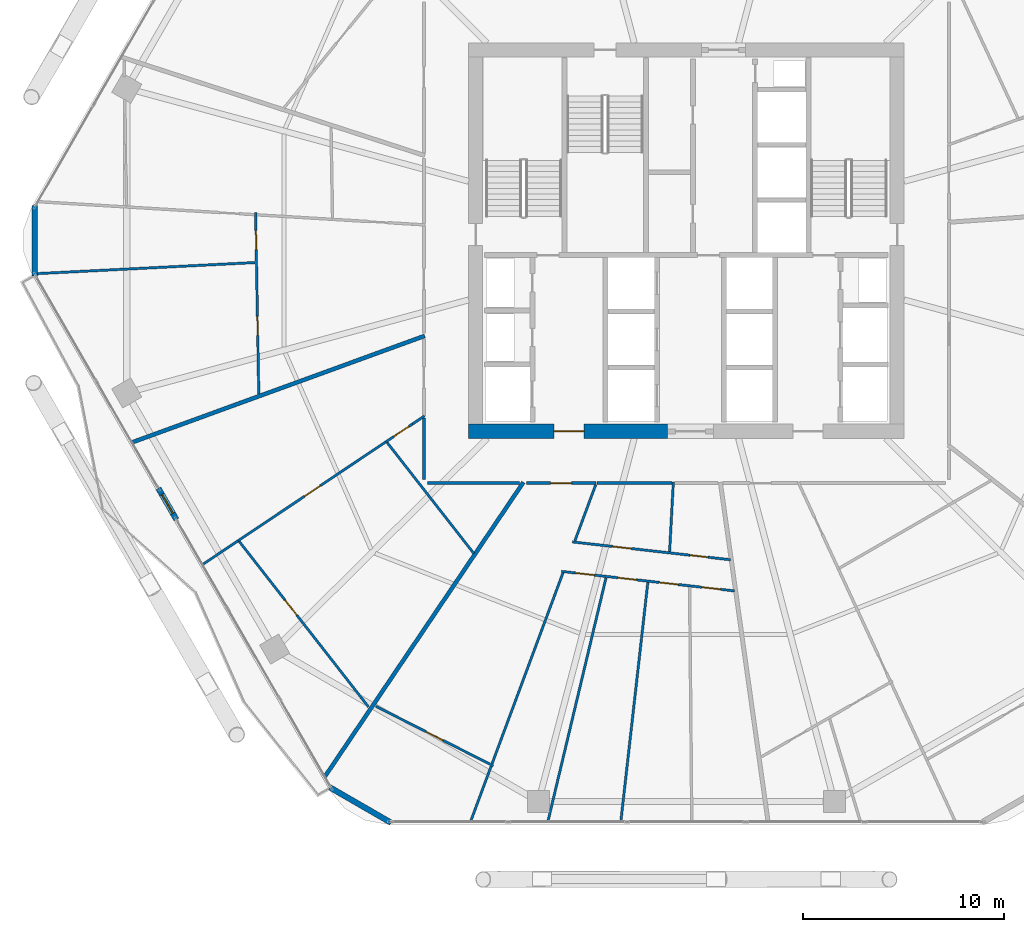
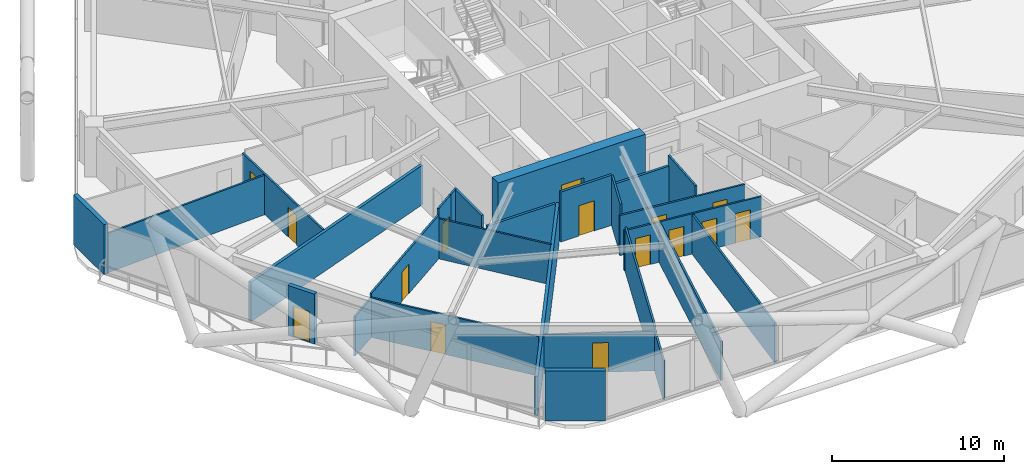
# One storey, part 26 of 34: 27 walls, 15 doors, 15 openings.
"""IFC4 building model written with IfcOpenShell, lengths in metres."""

from ifc_helpers import new_model, si_unit, direction, frame, frame_2d, origin, place, context, subcontext, project, spatial, rectangle, extrude, material, layer, layer_set, type_object, element, fill, save


model = new_model("IFC4")

# Units and contexts
model_context = context("Model", 3, precision=1e-05, world=origin(), true_north=direction((0.0, 1.0)))
body_context = subcontext(model_context, "Body", "Model", "MODEL_VIEW")
ifc_project = project(units=[si_unit("LENGTHUNIT", "METRE"), si_unit("AREAUNIT", "SQUARE_METRE"), si_unit("VOLUMEUNIT", "CUBIC_METRE"), si_unit("PLANEANGLEUNIT", "RADIAN"), si_unit("MASSUNIT", "GRAM", prefix="KILO")], contexts=[model_context])

# Site, building, storey
site_placement = place(None, origin())
site = spatial("IfcSite", under=ifc_project, at=site_placement, CompositionType="ELEMENT")
building_placement = place(site_placement, origin())
building = spatial("IfcBuilding", under=site, at=building_placement, Name="Zuhravey Tower", CompositionType="ELEMENT")
storey_placement = place(building_placement, frame((0.0, 0.0, 100.0)))
storey = spatial("IfcBuildingStorey", under=building, at=storey_placement, Name="L24", CompositionType="ELEMENT", Elevation=100.0)

# Wall, opening, door
ifc_material_1 = material(Name="Concrete C60/75", Category="concrete")
ifc_layer_1 = layer(ifc_material_1, 0.699951171875)
ifc_layer_set_1 = layer_set([ifc_layer_1], Name="Concrete C60/75")
wall_type_1 = type_object("IfcWallType", Name="Core Shear Wall 700", PredefinedType="SHEAR", material=ifc_layer_set_1)
wall_1_placement = place(storey_placement, frame((25.14990234375, 22.5, 0.0), z_axis=(0.0, 0.0, 1.0), x_axis=(1.0, 0.0, 0.0)))
wall_1 = element("IfcWall", 1, at=wall_1_placement, inside=storey, type_object=wall_type_1, Name="L24 South-West Core Shear Wall CW70", PredefinedType="SHEAR", context=body_context, shape_type="SweptSolid", body=[
    extrude(rectangle(XDim=9.900146484375, YDim=0.699951171875, at=frame_2d((4.9501953125, 0.0))), origin(), (0.0, 0.0, 1.0), 3.800048828125),
])
opening_1_placement = place(wall_1_placement, frame((4.25, 0.0, 0.0)))
opening_1 = element("IfcOpeningElement", 2, at=opening_1_placement, cuts=wall_1, Name="Opening FFD1", PredefinedType="OPENING", context=body_context, shape_type="SweptSolid", body=[
    extrude(rectangle(XDim=1.5, YDim=2.14990234375, at=frame_2d((0.75, 1.074951171875))), frame((0.0, 0.362060546875, 0.0), z_axis=(0.0, -1.0, 0.0), x_axis=(1.0, 0.0, 0.0)), (0.0, 0.0, 1.0), 0.723876953125),
])
ifc_material_2 = material(Name="Galvanised fire-rated steel leaf", Category="steel")
door_type_1 = type_object("IfcDoorType", Name="Firefighting Lobby Double Door 1500x2150", OperationType="DOUBLE_DOOR_SINGLE_SWING", PredefinedType="DOOR", material=ifc_material_2)
door_1_placement = place(opening_1_placement, origin())
door_1 = element("IfcDoor", 3, at=door_1_placement, inside=storey, type_object=door_type_1, Name="L24 Firefighting Lobby West Door", OperationType="DOUBLE_DOOR_SINGLE_SWING", OverallHeight=2.14990234375, OverallWidth=1.5, PredefinedType="DOOR", context=body_context, shape_type="SweptSolid", body=[
    extrude(rectangle(XDim=1.5, YDim=2.14990234375, at=frame_2d((0.75, 1.074951171875))), frame((0.0, 0.02490234375, 0.0), z_axis=(0.0, -1.0, 0.0), x_axis=(1.0, 0.0, 0.0)), (0.0, 0.0, 1.0), 0.050048828125),
])
fill(opening_1, door_1)

ifc_material_3 = material(Name="Gypsum fire-rated stud partition")
ifc_layer_2 = layer(ifc_material_3, 0.159912109375)
ifc_layer_set_2 = layer_set([ifc_layer_2], Name="Gypsum fire-rated stud partition")
wall_type_2 = type_object("IfcWallType", Name="Corridor Fire Partition 160", PredefinedType="PARTITIONING", material=ifc_layer_set_2)
wall_2_placement = place(storey_placement, frame((28.0283203125, 19.919921875, 0.0), z_axis=(0.0, 0.0, 1.0), x_axis=(1.0, 0.0, 0.0)))
wall_2 = element("IfcWall", 4, at=wall_2_placement, inside=storey, type_object=wall_type_2, Name="L24 IW16 Partition 054", PredefinedType="PARTITIONING", context=body_context, shape_type="SweptSolid", body=[
    extrude(rectangle(XDim=3.462646484375, YDim=0.159912109375, at=frame_2d((1.7314453125, 0.0))), origin(), (0.0, 0.0, 1.0), 3.550048828125),
])
opening_2_placement = place(wall_2_placement, frame((1.206298828125, 0.0, 0.0)))
opening_2 = element("IfcOpeningElement", 5, at=opening_2_placement, cuts=wall_2, Name="Opening APD1", PredefinedType="OPENING", context=body_context, shape_type="SweptSolid", body=[
    extrude(rectangle(XDim=1.050048828125, YDim=2.14990234375, at=frame_2d((0.52490234375, 1.074951171875))), frame((0.0, 0.092041015625, 0.0), z_axis=(0.0, -1.0, 0.0), x_axis=(1.0, 0.0, 0.0)), (0.0, 0.0, 1.0), 0.183837890625),
])
ifc_material_4 = material(Name="Solid-core oak fire-rated leaf")
door_type_2 = type_object("IfcDoorType", Name="Apartment Entrance Fire Door 1050x2150", OperationType="NOTDEFINED", PredefinedType="DOOR", material=ifc_material_4)
door_2_placement = place(opening_2_placement, frame((1.050048828125, 0.0, 0.0), z_axis=(0.0, 0.0, 1.0), x_axis=(-1.0, 0.0, 0.0)))
door_2 = element("IfcDoor", 6, at=door_2_placement, inside=storey, type_object=door_type_2, Name="L24 Door 054.1", OperationType="SINGLE_SWING_RIGHT", OverallHeight=2.14990234375, OverallWidth=1.050048828125, PredefinedType="DOOR", context=body_context, shape_type="SweptSolid", body=[
    extrude(rectangle(XDim=1.050048828125, YDim=2.14990234375, at=frame_2d((0.52490234375, 1.074951171875))), frame((0.0, 0.02490234375, 0.0), z_axis=(0.0, -1.0, 0.0), x_axis=(1.0, 0.0, 0.0)), (0.0, 0.0, 1.0), 0.050048828125),
])
fill(opening_2, door_2)

# Walls
wall_3_placement = place(storey_placement, frame((23.10009765625, 19.919921875, 0.0), z_axis=(0.0, 0.0, 1.0), x_axis=(1.0, 0.0, 0.0)))
element("IfcWall", 7, at=wall_3_placement, inside=storey, type_object=wall_type_2, Name="L24 IW16 Partition 127", PredefinedType="PARTITIONING", context=body_context, shape_type="SweptSolid", body=[
    extrude(rectangle(XDim=4.5732421875, YDim=0.159912109375, at=frame_2d((2.28662109375, 0.0))), origin(), (0.0, 0.0, 1.0), 2.85009765625),
])
wall_4_placement = place(storey_placement, frame((22.919921875, 23.161865234375, 0.0), z_axis=(0.0, 0.0, 1.0), x_axis=(0.0, -1.0, 0.0)))
element("IfcWall", 8, at=wall_4_placement, inside=storey, type_object=wall_type_2, Name="L24 IW16 Partition 128", PredefinedType="PARTITIONING", context=body_context, shape_type="SweptSolid", body=[
    extrude(rectangle(XDim=3.061767578125, YDim=0.159912109375, at=frame_2d((1.53076171875, 0.0))), origin(), (0.0, 0.0, 1.0), 3.550048828125),
])
wall_5_placement = place(storey_placement, frame((31.53369140625, 19.919921875, 0.0), z_axis=(0.0, 0.0, 1.0), x_axis=(1.0, 0.0, 0.0)))
element("IfcWall", 9, at=wall_5_placement, inside=storey, type_object=wall_type_2, Name="L24 IW16 Partition 129", PredefinedType="PARTITIONING", context=body_context, shape_type="SweptSolid", body=[
    extrude(rectangle(XDim=3.7451171875, YDim=0.159912109375, at=frame_2d((1.87255859375, 0.0))), origin(), (0.0, 0.0, 1.0), 2.85009765625),
])
ifc_material_5 = material(Name="Precast concrete C40/50", Category="concrete")
ifc_layer_3 = layer(ifc_material_5, 0.280029296875)
ifc_layer_set_3 = layer_set([ifc_layer_3], Name="Precast concrete C40/50")
wall_type_3 = type_object("IfcWallType", Name="Crown Architectural Wall 280", PredefinedType="SOLIDWALL", material=ifc_layer_set_3)
wall_6_placement = place(storey_placement, frame((21.28271484375, 2.993896484375, 0.0), z_axis=(0.0, 0.0, 1.0), x_axis=(-0.866007452331, 0.500031091541, 0.0)))
element("IfcWall", 10, at=wall_6_placement, inside=storey, type_object=wall_type_3, Name="L24 Rounded Corner Closure Wall EW28-04", PredefinedType="SOLIDWALL", context=body_context, shape_type="SweptSolid", body=[
    extrude(rectangle(XDim=3.514892578125, YDim=0.280029296875, at=frame_2d((1.75732421875, 0.0))), origin(), (0.0, 0.0, 1.0), 3.550048828125),
])

# Wall, opening, door
wall_7_placement = place(storey_placement, frame((10.583984375, 18.104736328125, 0.0), z_axis=(0.0, 0.0, 1.0), x_axis=(-0.49993893605, 0.866060656202, 0.0)))
wall_7 = element("IfcWall", 11, at=wall_7_placement, inside=storey, type_object=wall_type_3, Name="L24 Face 4 Facade Pier EW28-1", PredefinedType="SOLIDWALL", context=body_context, shape_type="SweptSolid", body=[
    extrude(rectangle(XDim=1.789794921875, YDim=0.280029296875, at=frame_2d((0.89501953125, 0.0))), origin(), (0.0, 0.0, 1.0), 3.550048828125),
])
opening_3_placement = place(wall_7_placement, frame((0.344970703125, 0.0, 0.0)))
opening_3 = element("IfcOpeningElement", 12, at=opening_3_placement, cuts=wall_7, Name="Opening BLD1", PredefinedType="OPENING", context=body_context, shape_type="SweptSolid", body=[
    extrude(rectangle(XDim=1.10009765625, YDim=2.199951171875, at=frame_2d((0.550048828125, 1.10009765625))), frame((0.0, 0.152099609375, 0.0), z_axis=(0.0, -1.0, 0.0), x_axis=(1.0, 0.0, 0.0)), (0.0, 0.0, 1.0), 0.303955078125),
])
ifc_material_6 = material(Name="Thermally broken aluminium and low-E glass", Category="aluminium")
door_type_3 = type_object("IfcDoorType", Name="Balcony & Sky-Tray Glazed Door 1100x2200", OperationType="NOTDEFINED", PredefinedType="DOOR", material=ifc_material_6)
door_3_placement = place(opening_3_placement, frame((1.10009765625, 0.0, 0.0), z_axis=(0.0, 0.0, 1.0), x_axis=(-1.0, 0.0, 0.0)))
door_3 = element("IfcDoor", 13, at=door_3_placement, inside=storey, type_object=door_type_3, Name="L24 Face 4 Wave Balcony Door", OperationType="SINGLE_SWING_LEFT", OverallHeight=2.199951171875, OverallWidth=1.10009765625, PredefinedType="DOOR", context=body_context, shape_type="SweptSolid", body=[
    extrude(rectangle(XDim=1.10009765625, YDim=2.199951171875, at=frame_2d((0.550048828125, 1.10009765625))), frame((0.0, 0.02490234375, 0.0), z_axis=(0.0, -1.0, 0.0), x_axis=(1.0, 0.0, 0.0)), (0.0, 0.0, 1.0), 0.050048828125),
])
fill(opening_3, door_3)

# Walls
wall_8_placement = place(storey_placement, frame((3.521484375, 30.242431640625, 0.0), z_axis=(0.0, 0.0, 1.0), x_axis=(0.0, 1.0, 0.0)))
element("IfcWall", 14, at=wall_8_placement, inside=storey, type_object=wall_type_3, Name="L24 Rounded Corner Closure Wall EW28-06", PredefinedType="SOLIDWALL", context=body_context, shape_type="SweptSolid", body=[
    extrude(rectangle(XDim=3.51513671875, YDim=0.280029296875, at=frame_2d((1.757568359375, 0.0))), origin(), (0.0, 0.0, 1.0), 3.550048828125),
])
ifc_material_7 = material(Name="Gypsum double-stud party assembly")
ifc_layer_4 = layer(ifc_material_7, 0.199951171875)
ifc_layer_set_4 = layer_set([ifc_layer_4], Name="Gypsum double-stud party assembly")
wall_type_4 = type_object("IfcWallType", Name="Inter-Tenancy Party Wall 200", PredefinedType="PARTITIONING", material=ifc_layer_set_4)
wall_9_placement = place(storey_placement, frame((22.9599609375, 27.25390625, 0.0), z_axis=(0.0, 0.0, 1.0), x_axis=(-0.939691473543, -0.342023295333, 0.0)))
element("IfcWall", 15, at=wall_9_placement, inside=storey, type_object=wall_type_4, Name="L24 IW20 Partition 100", PredefinedType="PARTITIONING", context=body_context, shape_type="SweptSolid", body=[
    extrude(rectangle(XDim=15.5283203125, YDim=0.199951171875, at=frame_2d((7.76416015625, 0.0))), origin(), (0.0, 0.0, 1.0), 2.800048828125),
])
wall_10_placement = place(storey_placement, frame((27.87890625, 19.9599609375, 0.0), z_axis=(0.0, 0.0, 1.0), x_axis=(-0.559197020648, -0.829034795469, 0.0)))
element("IfcWall", 16, at=wall_10_placement, inside=storey, type_object=wall_type_4, Name="L24 IW20 Partition 104", PredefinedType="PARTITIONING", context=body_context, shape_type="SweptSolid", body=[
    extrude(rectangle(XDim=17.6962890625, YDim=0.199951171875, at=frame_2d((8.84814453125, 0.0))), origin(), (0.0, 0.0, 1.0), 2.800048828125),
])

# Wall, openings, doors
ifc_material_8 = material(Name="Gypsum metal-stud partition")
ifc_layer_5 = layer(ifc_material_8, 0.1201171875)
ifc_layer_set_5 = layer_set([ifc_layer_5], Name="Gypsum metal-stud partition")
wall_type_5 = type_object("IfcWallType", Name="Unit Internal Partition 120", PredefinedType="PARTITIONING", material=ifc_layer_set_5)
wall_11_placement = place(storey_placement, frame((14.533203125, 33.390625, 0.0), z_axis=(0.0, 0.0, 1.0), x_axis=(0.017438423518, -0.999847939131, 0.0)))
wall_11 = element("IfcWall", 17, at=wall_11_placement, inside=storey, type_object=wall_type_5, Name="L24 IW12 Partition 041", PredefinedType="PARTITIONING", context=body_context, shape_type="SweptSolid", body=[
    extrude(rectangle(XDim=9.044189453125, YDim=0.1201171875, at=frame_2d((4.52197265625, 0.0))), origin(), (0.0, 0.0, 1.0), 2.85009765625),
])
opening_4_placement = place(wall_11_placement, frame((0.885009765625, 0.0, 0.0)))
opening_4 = element("IfcOpeningElement", 18, at=opening_4_placement, cuts=wall_11, Name="Opening IND1", PredefinedType="OPENING", context=body_context, shape_type="SweptSolid", body=[
    extrude(rectangle(XDim=0.949951171875, YDim=2.10009765625, at=frame_2d((0.47509765625, 1.050048828125))), frame((0.0, 0.072021484375, 0.0), z_axis=(0.0, -1.0, 0.0), x_axis=(1.0, 0.0, 0.0)), (0.0, 0.0, 1.0), 0.14404296875),
])
opening_5_placement = place(wall_11_placement, frame((5.167236328125, 0.0, 0.0)))
opening_5 = element("IfcOpeningElement", 19, at=opening_5_placement, cuts=wall_11, Name="Opening IND1", PredefinedType="OPENING", context=body_context, shape_type="SweptSolid", body=[
    extrude(rectangle(XDim=0.949951171875, YDim=2.10009765625, at=frame_2d((0.47509765625, 1.050048828125))), frame((0.0, 0.072021484375, 0.0), z_axis=(0.0, -1.0, 0.0), x_axis=(1.0, 0.0, 0.0)), (0.0, 0.0, 1.0), 0.14404296875),
])
ifc_material_9 = material(Name="Painted engineered timber leaf", Category="wood")
door_type_4 = type_object("IfcDoorType", Name="Internal Room & Bedroom Door 950x2100", OperationType="NOTDEFINED", PredefinedType="DOOR", material=ifc_material_9)
door_4_placement = place(opening_4_placement, frame((0.949951171875, 0.0, 0.0), z_axis=(0.0, 0.0, 1.0), x_axis=(-1.0, 0.0, 0.0)))
door_4 = element("IfcDoor", 20, at=door_4_placement, inside=storey, type_object=door_type_4, Name="Apartment L24-05 Family Study Door", OperationType="SINGLE_SWING_LEFT", OverallHeight=2.10009765625, OverallWidth=0.949951171875, PredefinedType="DOOR", context=body_context, shape_type="SweptSolid", body=[
    extrude(rectangle(XDim=0.949951171875, YDim=2.10009765625, at=frame_2d((0.47509765625, 1.050048828125))), frame((0.0, 0.02490234375, 0.0), z_axis=(0.0, -1.0, 0.0), x_axis=(1.0, 0.0, 0.0)), (0.0, 0.0, 1.0), 0.050048828125),
])
fill(opening_4, door_4)
door_5_placement = place(opening_5_placement, frame((0.949951171875, 0.0, 0.0), z_axis=(0.0, 0.0, 1.0), x_axis=(-1.0, 0.0, 0.0)))
door_5 = element("IfcDoor", 21, at=door_5_placement, inside=storey, type_object=door_type_4, Name="Apartment L24-05 Dining Room Door", OperationType="SINGLE_SWING_RIGHT", OverallHeight=2.10009765625, OverallWidth=0.949951171875, PredefinedType="DOOR", context=body_context, shape_type="SweptSolid", body=[
    extrude(rectangle(XDim=0.949951171875, YDim=2.10009765625, at=frame_2d((0.47509765625, 1.050048828125))), frame((0.0, 0.02490234375, 0.0), z_axis=(0.0, -1.0, 0.0), x_axis=(1.0, 0.0, 0.0)), (0.0, 0.0, 1.0), 0.050048828125),
])
fill(opening_5, door_5)

# Wall, opening, door
wall_12_placement = place(storey_placement, frame((22.35009765625, 22.862060546875, 0.0), z_axis=(0.0, 0.0, 1.0), x_axis=(-0.831058391016, -0.556185176647, 0.0)))
wall_12 = element("IfcWall", 22, at=wall_12_placement, inside=storey, type_object=wall_type_5, Name="L24 IW12 Partition 047", PredefinedType="PARTITIONING", context=body_context, shape_type="SweptSolid", body=[
    extrude(rectangle(XDim=1.592529296875, YDim=0.1201171875, at=frame_2d((0.79638671875, 0.0))), origin(), (0.0, 0.0, 1.0), 3.550048828125),
])
opening_6_placement = place(wall_12_placement, frame((0.218994140625, 0.0, 0.0)))
opening_6 = element("IfcOpeningElement", 23, at=opening_6_placement, cuts=wall_12, Name="Opening WCD1", PredefinedType="OPENING", context=body_context, shape_type="SweptSolid", body=[
    extrude(rectangle(XDim=0.89990234375, YDim=2.10009765625, at=frame_2d((0.449951171875, 1.050048828125))), frame((0.0, 0.072021484375, 0.0), z_axis=(0.0, -1.0, 0.0), x_axis=(1.0, 0.0, 0.0)), (0.0, 0.0, 1.0), 0.14404296875),
])
ifc_material_10 = material(Name="Moisture-resistant timber leaf", Category="wood")
door_type_5 = type_object("IfcDoorType", Name="Bathroom & WC Internal Door 900x2100", OperationType="NOTDEFINED", PredefinedType="DOOR", material=ifc_material_10)
door_6_placement = place(opening_6_placement, origin())
door_6 = element("IfcDoor", 24, at=door_6_placement, inside=storey, type_object=door_type_5, Name="Apartment L24-06 Bathroom Door", OperationType="SINGLE_SWING_LEFT", OverallHeight=2.10009765625, OverallWidth=0.89990234375, PredefinedType="DOOR", context=body_context, shape_type="SweptSolid", body=[
    extrude(rectangle(XDim=0.89990234375, YDim=2.10009765625, at=frame_2d((0.449951171875, 1.050048828125))), frame((0.0, 0.02490234375, 0.0), z_axis=(0.0, -1.0, 0.0), x_axis=(1.0, 0.0, 0.0)), (0.0, 0.0, 1.0), 0.050048828125),
])
fill(opening_6, door_6)

wall_13_placement = place(storey_placement, frame((21.026611328125, 21.976318359375, 0.0), z_axis=(0.0, 0.0, 1.0), x_axis=(-0.830972753707, -0.556313115607, 0.0)))
wall_13 = element("IfcWall", 25, at=wall_13_placement, inside=storey, type_object=wall_type_5, Name="L24 IW12 Partition 048", PredefinedType="PARTITIONING", context=body_context, shape_type="SweptSolid", body=[
    extrude(rectangle(XDim=8.86669921875, YDim=0.1201171875, at=frame_2d((4.433349609375, 0.0))), origin(), (0.0, 0.0, 1.0), 3.10009765625),
])
opening_7_placement = place(wall_13_placement, frame((3.93310546875, 0.0, 0.0)))
opening_7 = element("IfcOpeningElement", 26, at=opening_7_placement, cuts=wall_13, Name="Opening IND1", PredefinedType="OPENING", context=body_context, shape_type="SweptSolid", body=[
    extrude(rectangle(XDim=0.949951171875, YDim=2.10009765625, at=frame_2d((0.47509765625, 1.050048828125))), frame((0.0, 0.072021484375, 0.0), z_axis=(0.0, -1.0, 0.0), x_axis=(1.0, 0.0, 0.0)), (0.0, 0.0, 1.0), 0.14404296875),
])
door_7_placement = place(opening_7_placement, origin())
door_7 = element("IfcDoor", 27, at=door_7_placement, inside=storey, type_object=door_type_4, Name="Apartment L24-06 Home Office Door", OperationType="SINGLE_SWING_RIGHT", OverallHeight=2.10009765625, OverallWidth=0.949951171875, PredefinedType="DOOR", context=body_context, shape_type="SweptSolid", body=[
    extrude(rectangle(XDim=0.949951171875, YDim=2.10009765625, at=frame_2d((0.47509765625, 1.050048828125))), frame((0.0, 0.02490234375, 0.0), z_axis=(0.0, -1.0, 0.0), x_axis=(1.0, 0.0, 0.0)), (0.0, 0.0, 1.0), 0.050048828125),
])
fill(opening_7, door_7)

wall_14_placement = place(storey_placement, frame((13.7216796875, 17.00390625, 0.0), z_axis=(0.0, 0.0, 1.0), x_axis=(0.615661723456, -0.788010559746, 0.0)))
wall_14 = element("IfcWall", 28, at=wall_14_placement, inside=storey, type_object=wall_type_5, Name="L24 IW12 Partition 049", PredefinedType="PARTITIONING", context=body_context, shape_type="SweptSolid", body=[
    extrude(rectangle(XDim=10.449951171875, YDim=0.1201171875, at=frame_2d((5.22509765625, 0.0))), origin(), (0.0, 0.0, 1.0), 2.800048828125),
])
opening_8_placement = place(wall_14_placement, frame((3.69482421875, 0.0, 0.0)))
opening_8 = element("IfcOpeningElement", 29, at=opening_8_placement, cuts=wall_14, Name="Opening IND1", PredefinedType="OPENING", context=body_context, shape_type="SweptSolid", body=[
    extrude(rectangle(XDim=0.949951171875, YDim=2.10009765625, at=frame_2d((0.47509765625, 1.050048828125))), frame((0.0, 0.072021484375, 0.0), z_axis=(0.0, -1.0, 0.0), x_axis=(1.0, 0.0, 0.0)), (0.0, 0.0, 1.0), 0.14404296875),
])
door_8_placement = place(opening_8_placement, frame((0.949951171875, 0.0, 0.0), z_axis=(0.0, 0.0, 1.0), x_axis=(-1.0, 0.0, 0.0)))
door_8 = element("IfcDoor", 30, at=door_8_placement, inside=storey, type_object=door_type_4, Name="Apartment L24-06 Bedroom 1 Door", OperationType="SINGLE_SWING_LEFT", OverallHeight=2.10009765625, OverallWidth=0.949951171875, PredefinedType="DOOR", context=body_context, shape_type="SweptSolid", body=[
    extrude(rectangle(XDim=0.949951171875, YDim=2.10009765625, at=frame_2d((0.47509765625, 1.050048828125))), frame((0.0, 0.02490234375, 0.0), z_axis=(0.0, -1.0, 0.0), x_axis=(1.0, 0.0, 0.0)), (0.0, 0.0, 1.0), 0.050048828125),
])
fill(opening_8, door_8)

wall_15_placement = place(storey_placement, frame((20.524169921875, 8.799560546875, 0.0), z_axis=(0.0, 0.0, 1.0), x_axis=(0.891487645156, -0.453045007185, 0.0)))
wall_15 = element("IfcWall", 31, at=wall_15_placement, inside=storey, type_object=wall_type_5, Name="L24 IW12 Partition 051", PredefinedType="PARTITIONING", context=body_context, shape_type="SweptSolid", body=[
    extrude(rectangle(XDim=6.570556640625, YDim=0.1201171875, at=frame_2d((3.28515625, 0.0))), origin(), (0.0, 0.0, 1.0), 2.800048828125),
])
opening_9_placement = place(wall_15_placement, frame((2.810302734375, 0.0, 0.0)))
opening_9 = element("IfcOpeningElement", 32, at=opening_9_placement, cuts=wall_15, Name="Opening IND1", PredefinedType="OPENING", context=body_context, shape_type="SweptSolid", body=[
    extrude(rectangle(XDim=0.949951171875, YDim=2.10009765625, at=frame_2d((0.47509765625, 1.050048828125))), frame((0.0, 0.072021484375, 0.0), z_axis=(0.0, -1.0, 0.0), x_axis=(1.0, 0.0, 0.0)), (0.0, 0.0, 1.0), 0.14404296875),
])
door_9_placement = place(opening_9_placement, frame((0.949951171875, 0.0, 0.0), z_axis=(0.0, 0.0, 1.0), x_axis=(-1.0, 0.0, 0.0)))
door_9 = element("IfcDoor", 33, at=door_9_placement, inside=storey, type_object=door_type_4, Name="Apartment L24-07 Family Study Door", OperationType="SINGLE_SWING_LEFT", OverallHeight=2.10009765625, OverallWidth=0.949951171875, PredefinedType="DOOR", context=body_context, shape_type="SweptSolid", body=[
    extrude(rectangle(XDim=0.949951171875, YDim=2.10009765625, at=frame_2d((0.47509765625, 1.050048828125))), frame((0.0, 0.02490234375, 0.0), z_axis=(0.0, -1.0, 0.0), x_axis=(1.0, 0.0, 0.0)), (0.0, 0.0, 1.0), 0.050048828125),
])
fill(opening_9, door_9)

# Wall, openings, doors
wall_16_placement = place(storey_placement, frame((30.31591796875, 16.987060546875, 0.0), z_axis=(0.0, 0.0, 1.0), x_axis=(0.993688053022, -0.112178666785, 0.0)))
wall_16 = element("IfcWall", 34, at=wall_16_placement, inside=storey, type_object=wall_type_5, Name="L24 IW12 Partition 052", PredefinedType="PARTITIONING", context=body_context, shape_type="SweptSolid", body=[
    extrude(rectangle(XDim=7.928466796875, YDim=0.1201171875, at=frame_2d((3.96435546875, 0.0))), origin(), (0.0, 0.0, 1.0), 2.85009765625),
])
opening_10_placement = place(wall_16_placement, frame((2.01318359375, 0.0, 0.0)))
opening_10 = element("IfcOpeningElement", 35, at=opening_10_placement, cuts=wall_16, Name="Opening IND1", PredefinedType="OPENING", context=body_context, shape_type="SweptSolid", body=[
    extrude(rectangle(XDim=0.949951171875, YDim=2.10009765625, at=frame_2d((0.47509765625, 1.050048828125))), frame((0.0, 0.072021484375, 0.0), z_axis=(0.0, -1.0, 0.0), x_axis=(1.0, 0.0, 0.0)), (0.0, 0.0, 1.0), 0.14404296875),
])
opening_11_placement = place(wall_16_placement, frame((5.8994140625, 0.0, 0.0)))
opening_11 = element("IfcOpeningElement", 36, at=opening_11_placement, cuts=wall_16, Name="Opening WCD1", PredefinedType="OPENING", context=body_context, shape_type="SweptSolid", body=[
    extrude(rectangle(XDim=0.89990234375, YDim=2.10009765625, at=frame_2d((0.449951171875, 1.050048828125))), frame((0.0, 0.072021484375, 0.0), z_axis=(0.0, -1.0, 0.0), x_axis=(1.0, 0.0, 0.0)), (0.0, 0.0, 1.0), 0.14404296875),
])
door_10_placement = place(opening_11_placement, origin())
door_10 = element("IfcDoor", 37, at=door_10_placement, inside=storey, type_object=door_type_5, Name="Apartment L24-07 Bathroom Door", OperationType="SINGLE_SWING_LEFT", OverallHeight=2.10009765625, OverallWidth=0.89990234375, PredefinedType="DOOR", context=body_context, shape_type="SweptSolid", body=[
    extrude(rectangle(XDim=0.89990234375, YDim=2.10009765625, at=frame_2d((0.449951171875, 1.050048828125))), frame((0.0, 0.02490234375, 0.0), z_axis=(0.0, -1.0, 0.0), x_axis=(1.0, 0.0, 0.0)), (0.0, 0.0, 1.0), 0.050048828125),
])
fill(opening_11, door_10)
door_11_placement = place(opening_10_placement, origin())
door_11 = element("IfcDoor", 38, at=door_11_placement, inside=storey, type_object=door_type_4, Name="Apartment L24-07 Kitchen Door", OperationType="SINGLE_SWING_RIGHT", OverallHeight=2.10009765625, OverallWidth=0.949951171875, PredefinedType="DOOR", context=body_context, shape_type="SweptSolid", body=[
    extrude(rectangle(XDim=0.949951171875, YDim=2.10009765625, at=frame_2d((0.47509765625, 1.050048828125))), frame((0.0, 0.02490234375, 0.0), z_axis=(0.0, -1.0, 0.0), x_axis=(1.0, 0.0, 0.0)), (0.0, 0.0, 1.0), 0.050048828125),
])
fill(opening_10, door_11)

wall_17_placement = place(storey_placement, frame((29.7705078125, 15.518798828125, 0.0), z_axis=(0.0, 0.0, 1.0), x_axis=(0.993690565923, -0.112156405055, 0.0)))
wall_17 = element("IfcWall", 39, at=wall_17_placement, inside=storey, type_object=wall_type_5, Name="L24 IW12 Partition 053", PredefinedType="PARTITIONING", context=body_context, shape_type="SweptSolid", body=[
    extrude(rectangle(XDim=8.68310546875, YDim=0.1201171875, at=frame_2d((4.341552734375, 0.0))), origin(), (0.0, 0.0, 1.0), 2.85009765625),
])
opening_12_placement = place(wall_17_placement, frame((0.701904296875, 0.0, 0.0)))
opening_12 = element("IfcOpeningElement", 40, at=opening_12_placement, cuts=wall_17, Name="Opening IND1", PredefinedType="OPENING", context=body_context, shape_type="SweptSolid", body=[
    extrude(rectangle(XDim=0.949951171875, YDim=2.10009765625, at=frame_2d((0.47509765625, 1.050048828125))), frame((0.0, 0.072021484375, 0.0), z_axis=(0.0, -1.0, 0.0), x_axis=(1.0, 0.0, 0.0)), (0.0, 0.0, 1.0), 0.14404296875),
])
opening_13_placement = place(wall_17_placement, frame((2.822509765625, 0.0, 0.0)))
opening_13 = element("IfcOpeningElement", 41, at=opening_13_placement, cuts=wall_17, Name="Opening IND1", PredefinedType="OPENING", context=body_context, shape_type="SweptSolid", body=[
    extrude(rectangle(XDim=0.949951171875, YDim=2.10009765625, at=frame_2d((0.47509765625, 1.050048828125))), frame((0.0, 0.072021484375, 0.0), z_axis=(0.0, -1.0, 0.0), x_axis=(1.0, 0.0, 0.0)), (0.0, 0.0, 1.0), 0.14404296875),
])
opening_14_placement = place(wall_17_placement, frame((4.91064453125, 0.0, 0.0)))
opening_14 = element("IfcOpeningElement", 42, at=opening_14_placement, cuts=wall_17, Name="Opening IND1", PredefinedType="OPENING", context=body_context, shape_type="SweptSolid", body=[
    extrude(rectangle(XDim=0.949951171875, YDim=2.10009765625, at=frame_2d((0.47509765625, 1.050048828125))), frame((0.0, 0.072021484375, 0.0), z_axis=(0.0, -1.0, 0.0), x_axis=(1.0, 0.0, 0.0)), (0.0, 0.0, 1.0), 0.14404296875),
])
opening_15_placement = place(wall_17_placement, frame((7.031005859375, 0.0, 0.0)))
opening_15 = element("IfcOpeningElement", 43, at=opening_15_placement, cuts=wall_17, Name="Opening IND1", PredefinedType="OPENING", context=body_context, shape_type="SweptSolid", body=[
    extrude(rectangle(XDim=0.949951171875, YDim=2.10009765625, at=frame_2d((0.47509765625, 1.050048828125))), frame((0.0, 0.072021484375, 0.0), z_axis=(0.0, -1.0, 0.0), x_axis=(1.0, 0.0, 0.0)), (0.0, 0.0, 1.0), 0.14404296875),
])
door_12_placement = place(opening_12_placement, frame((0.949951171875, 0.0, 0.0), z_axis=(0.0, 0.0, 1.0), x_axis=(-1.0, 0.0, 0.0)))
door_12 = element("IfcDoor", 44, at=door_12_placement, inside=storey, type_object=door_type_4, Name="Apartment L24-07 Bedroom 1 Door", OperationType="SINGLE_SWING_RIGHT", OverallHeight=2.10009765625, OverallWidth=0.949951171875, PredefinedType="DOOR", context=body_context, shape_type="SweptSolid", body=[
    extrude(rectangle(XDim=0.949951171875, YDim=2.10009765625, at=frame_2d((0.47509765625, 1.050048828125))), frame((0.0, 0.02490234375, 0.0), z_axis=(0.0, -1.0, 0.0), x_axis=(1.0, 0.0, 0.0)), (0.0, 0.0, 1.0), 0.050048828125),
])
fill(opening_12, door_12)
door_13_placement = place(opening_13_placement, frame((0.949951171875, 0.0, 0.0), z_axis=(0.0, 0.0, 1.0), x_axis=(-1.0, 0.0, 0.0)))
door_13 = element("IfcDoor", 45, at=door_13_placement, inside=storey, type_object=door_type_4, Name="Apartment L24-07 Bedroom 2 Door", OperationType="SINGLE_SWING_LEFT", OverallHeight=2.10009765625, OverallWidth=0.949951171875, PredefinedType="DOOR", context=body_context, shape_type="SweptSolid", body=[
    extrude(rectangle(XDim=0.949951171875, YDim=2.10009765625, at=frame_2d((0.47509765625, 1.050048828125))), frame((0.0, 0.02490234375, 0.0), z_axis=(0.0, -1.0, 0.0), x_axis=(1.0, 0.0, 0.0)), (0.0, 0.0, 1.0), 0.050048828125),
])
fill(opening_13, door_13)
door_14_placement = place(opening_14_placement, frame((0.949951171875, 0.0, 0.0), z_axis=(0.0, 0.0, 1.0), x_axis=(-1.0, 0.0, 0.0)))
door_14 = element("IfcDoor", 46, at=door_14_placement, inside=storey, type_object=door_type_4, Name="Apartment L24-07 Bedroom 3 Door", OperationType="SINGLE_SWING_RIGHT", OverallHeight=2.10009765625, OverallWidth=0.949951171875, PredefinedType="DOOR", context=body_context, shape_type="SweptSolid", body=[
    extrude(rectangle(XDim=0.949951171875, YDim=2.10009765625, at=frame_2d((0.47509765625, 1.050048828125))), frame((0.0, 0.02490234375, 0.0), z_axis=(0.0, -1.0, 0.0), x_axis=(1.0, 0.0, 0.0)), (0.0, 0.0, 1.0), 0.050048828125),
])
fill(opening_14, door_14)
door_15_placement = place(opening_15_placement, frame((0.949951171875, 0.0, 0.0), z_axis=(0.0, 0.0, 1.0), x_axis=(-1.0, 0.0, 0.0)))
door_15 = element("IfcDoor", 47, at=door_15_placement, inside=storey, type_object=door_type_4, Name="Apartment L24-07 Bedroom 4 Door", OperationType="SINGLE_SWING_LEFT", OverallHeight=2.10009765625, OverallWidth=0.949951171875, PredefinedType="DOOR", context=body_context, shape_type="SweptSolid", body=[
    extrude(rectangle(XDim=0.949951171875, YDim=2.10009765625, at=frame_2d((0.47509765625, 1.050048828125))), frame((0.0, 0.02490234375, 0.0), z_axis=(0.0, -1.0, 0.0), x_axis=(1.0, 0.0, 0.0)), (0.0, 0.0, 1.0), 0.050048828125),
])
fill(opening_15, door_15)

# Walls
wall_18_placement = place(storey_placement, frame((14.508544921875, 30.907470703125, 0.0), z_axis=(0.0, 0.0, 1.0), x_axis=(-0.998710415544, -0.05076914303, 0.0)))
element("IfcWall", 48, at=wall_18_placement, inside=storey, type_object=wall_type_5, Name="L24 IW12 Partition 095", PredefinedType="PARTITIONING", context=body_context, shape_type="SweptSolid", body=[
    extrude(rectangle(XDim=11.041015625, YDim=0.1201171875, at=frame_2d((5.5205078125, 0.0))), origin(), (0.0, 0.0, 1.0), 2.800048828125),
])
wall_19_placement = place(storey_placement, frame((22.9560546875, 23.267822265625, 0.0), z_axis=(0.0, 0.0, 1.0), x_axis=(-0.830915468449, -0.556398673877, 0.0)))
element("IfcWall", 49, at=wall_19_placement, inside=storey, type_object=wall_type_5, Name="L24 IW12 Partition 101", PredefinedType="PARTITIONING", context=body_context, shape_type="SweptSolid", body=[
    extrude(rectangle(XDim=0.729248046875, YDim=0.1201171875, at=frame_2d((0.36474609375, 0.0))), origin(), (0.0, 0.0, 1.0), 3.550048828125),
])
wall_20_placement = place(storey_placement, frame((13.65869140625, 17.0439453125, 0.0), z_axis=(0.0, 0.0, 1.0), x_axis=(-0.830943875416, -0.556356249096, 0.0)))
element("IfcWall", 50, at=wall_20_placement, inside=storey, type_object=wall_type_5, Name="L24 IW12 Partition 102", PredefinedType="PARTITIONING", context=body_context, shape_type="SweptSolid", body=[
    extrude(rectangle(XDim=2.141845703125, YDim=0.1201171875, at=frame_2d((1.07080078125, 0.0))), origin(), (0.0, 0.0, 1.0), 2.800048828125),
])
wall_21_placement = place(storey_placement, frame((21.08935546875, 21.936279296875, 0.0), z_axis=(0.0, 0.0, 1.0), x_axis=(0.615669714857, -0.78800431611, 0.0)))
element("IfcWall", 51, at=wall_21_placement, inside=storey, type_object=wall_type_5, Name="L24 IW12 Partition 103", PredefinedType="PARTITIONING", context=body_context, shape_type="SweptSolid", body=[
    extrude(rectangle(XDim=7.012451171875, YDim=0.1201171875, at=frame_2d((3.50634765625, 0.0))), origin(), (0.0, 0.0, 1.0), 2.85009765625),
])
wall_22_placement = place(storey_placement, frame((35.349609375, 19.969970703125, 0.0), z_axis=(0.0, 0.0, 1.0), x_axis=(-0.053944893028, -0.998543914165, 0.0)))
element("IfcWall", 52, at=wall_22_placement, inside=storey, type_object=wall_type_5, Name="L24 IW12 Partition 105", PredefinedType="PARTITIONING", context=body_context, shape_type="SweptSolid", body=[
    extrude(rectangle(XDim=3.466796875, YDim=0.1201171875, at=frame_2d((1.7333984375, 0.0))), origin(), (0.0, 0.0, 1.0), 3.550048828125),
])
wall_23_placement = place(storey_placement, frame((31.994384765625, 15.199462890625, 0.0), z_axis=(0.0, 0.0, 1.0), x_axis=(-0.231903726738, -0.972738742687, 0.0)))
element("IfcWall", 53, at=wall_23_placement, inside=storey, type_object=wall_type_5, Name="L24 IW12 Partition 106", PredefinedType="PARTITIONING", context=body_context, shape_type="SweptSolid", body=[
    extrude(rectangle(XDim=12.509033203125, YDim=0.1201171875, at=frame_2d((6.25439453125, 0.0))), origin(), (0.0, 0.0, 1.0), 2.800048828125),
])
wall_24_placement = place(storey_placement, frame((34.0771484375, 14.96435546875, 0.0), z_axis=(0.0, 0.0, 1.0), x_axis=(-0.112162915039, -0.993689831129, 0.0)))
element("IfcWall", 54, at=wall_24_placement, inside=storey, type_object=wall_type_5, Name="L24 IW12 Partition 107", PredefinedType="PARTITIONING", context=body_context, shape_type="SweptSolid", body=[
    extrude(rectangle(XDim=12.008544921875, YDim=0.1201171875, at=frame_2d((6.00439453125, 0.0))), origin(), (0.0, 0.0, 1.0), 2.800048828125),
])
wall_25_placement = place(storey_placement, frame((31.4794921875, 19.83203125, 0.0), z_axis=(0.0, 0.0, 1.0), x_axis=(-0.348174176555, -0.937429860192, 0.0)))
element("IfcWall", 55, at=wall_25_placement, inside=storey, type_object=wall_type_5, Name="L24 IW12 Partition 109", PredefinedType="PARTITIONING", context=body_context, shape_type="SweptSolid", body=[
    extrude(rectangle(XDim=2.977294921875, YDim=0.1201171875, at=frame_2d((1.48876953125, 0.0))), origin(), (0.0, 0.0, 1.0), 3.550048828125),
])
wall_26_placement = place(storey_placement, frame((29.848388671875, 15.441650390625, 0.0), z_axis=(0.0, 0.0, 1.0), x_axis=(-0.348233662926, -0.937407763999, 0.0)))
element("IfcWall", 56, at=wall_26_placement, inside=storey, type_object=wall_type_5, Name="L24 IW12 Partition 110", PredefinedType="PARTITIONING", context=body_context, shape_type="SweptSolid", body=[
    extrude(rectangle(XDim=10.14404296875, YDim=0.1201171875, at=frame_2d((5.072021484375, 0.0))), origin(), (0.0, 0.0, 1.0), 3.10009765625),
])
wall_27_placement = place(storey_placement, frame((26.268310546875, 5.80419921875, 0.0), z_axis=(0.0, 0.0, 1.0), x_axis=(-0.348234227569, -0.937407554242, 0.0)))
element("IfcWall", 57, at=wall_27_placement, inside=storey, type_object=wall_type_5, Name="L24 IW12 Partition 111", PredefinedType="PARTITIONING", context=body_context, shape_type="SweptSolid", body=[
    extrude(rectangle(XDim=2.955810546875, YDim=0.1201171875, at=frame_2d((1.47802734375, 0.0))), origin(), (0.0, 0.0, 1.0), 2.800048828125),
])

save(model, "model.ifc")
